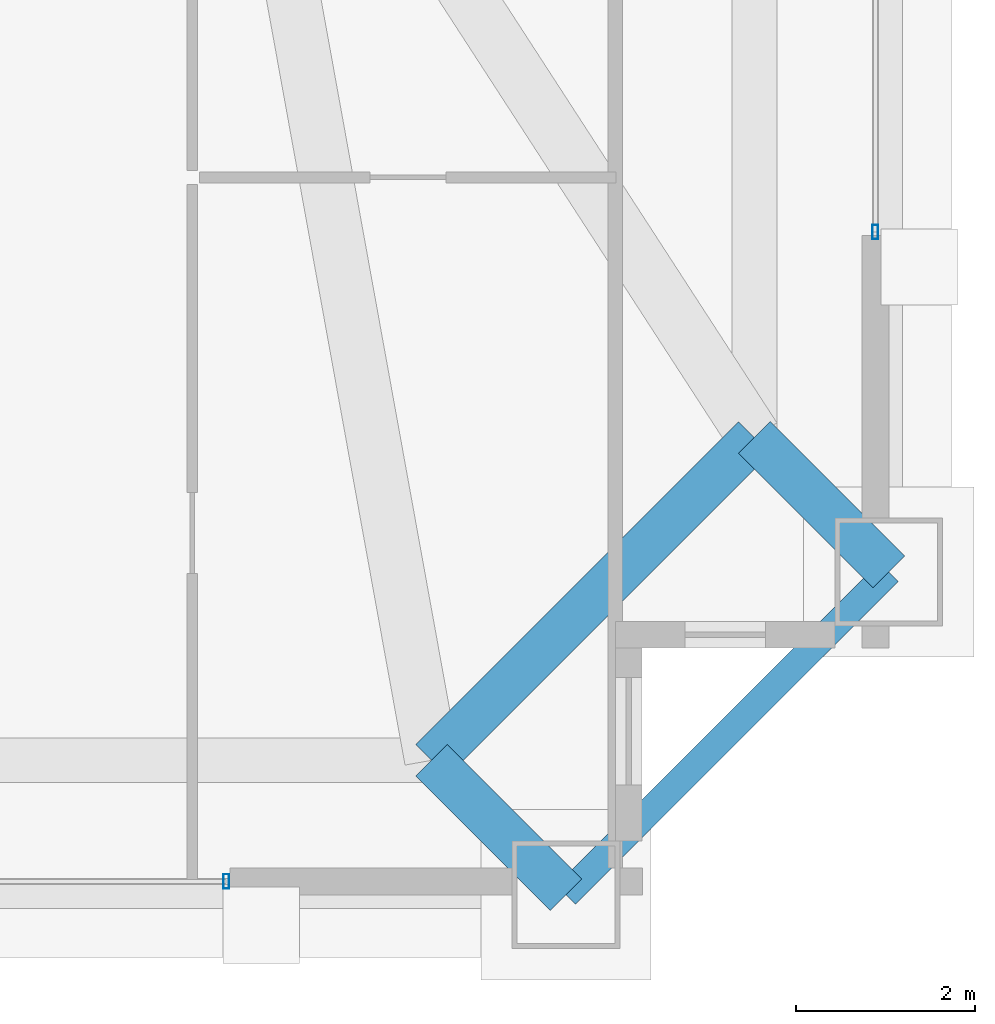
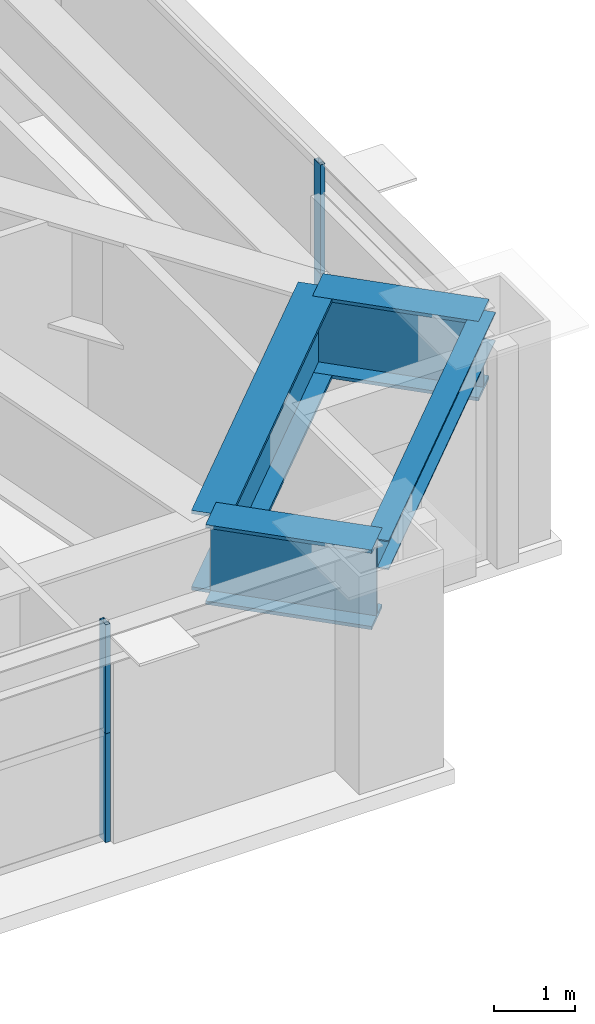
# One storey, part 14 of 33: 4 beams, 4 members, 2 elements without a shape of their own.
"""IFC4 building model written with IfcOpenShell, lengths in metres."""

from ifc_helpers import new_model, si_unit, direction, frame, origin, origin_2d, place, context, subcontext, project, spatial, hollow_rectangle, i_section, extrude, source, transform, mapped, material, layer, layer_set, material_profile, profile_set, type_object, element, aggregate, save


model = new_model("IFC4")

# Units and contexts
model_context = context("Model", 3, precision=1e-05, world=origin(), true_north=direction((0.0, 1.0)))
body_context = subcontext(model_context, "Body", "Model", "MODEL_VIEW")
ifc_project = project(units=[si_unit("LENGTHUNIT", "METRE"), si_unit("AREAUNIT", "SQUARE_METRE"), si_unit("VOLUMEUNIT", "CUBIC_METRE"), si_unit("PLANEANGLEUNIT", "RADIAN"), si_unit("MASSUNIT", "GRAM", prefix="KILO"), si_unit("THERMODYNAMICTEMPERATUREUNIT", "KELVIN"), si_unit("POWERUNIT", "WATT")], contexts=[model_context])

# Site, building, storey
site_placement = place(None, origin())
site = spatial("IfcSite", under=ifc_project, at=site_placement, CompositionType="ELEMENT")
building_placement = place(site_placement, origin())
building = spatial("IfcBuilding", under=site, at=building_placement, Name="Yuzanri Waterfront Tower", CompositionType="ELEMENT")
storey_placement = place(building_placement, frame((0.0, 0.0, 282.10009765625)))
storey = spatial("IfcBuildingStorey", under=building, at=storey_placement, Name="L75", CompositionType="ELEMENT", Elevation=282.10009765625)

# Beams
ifc_material_1 = material(Name="Steel Q420GJC", Category="steel")
ifc_material_profile_1 = material_profile(ifc_material_1, i_section(OverallWidth=0.5, OverallDepth=1.199951171875, WebThickness=0.028076171875, FlangeThickness=0.050048828125, at=origin_2d()), Name="PG 1200x500x28x50")
ifc_profile_set_1 = profile_set([ifc_material_profile_1], Name="Steel Q420GJC")
beam_type_1 = type_object("IfcBeamType", Name="Setback Transfer Girder Q420GJC PG 1200x500", PredefinedType="USERDEFINED", material=ifc_profile_set_1)
shared_shape_1 = source(origin(), body_context, "Body", "SweptSolid", [
    extrude(i_section(OverallWidth=0.5, OverallDepth=1.199951171875, WebThickness=0.028076171875, FlangeThickness=0.050048828125, at=origin_2d()), origin(), (0.0, 0.0, 1.0), 2.121337890625),
])
for number, where, z_axis, x_axis, name in (
    (1, (52.5, 6.699951171875, 2.679931640625), (0.707106781187, -0.707106781187, 0.0), (0.707106781187, 0.707106781187, 0.0), "L75 Setback Step Transfer S3"),
    (2, (56.10009765625, 10.300048828125, 2.679931640625), (0.707106781187, -0.707106781187, 0.0), (0.707106781187, 0.707106781187, 0.0), "L75 Setback Step Transfer E1"),
):
    element("IfcBeam", number, at=place(storey_placement, frame(where, z_axis=z_axis, x_axis=x_axis)), inside=storey, type_object=beam_type_1, Name=name, ObjectType="GIRDER", PredefinedType="USERDEFINED", context=body_context, shape_type="MappedRepresentation", body=[
        mapped(shared_shape_1, transform((0.0, 0.0, 0.0), scale=1.0)),
    ])
shared_shape_2 = source(origin(), body_context, "Body", "SweptSolid", [
    extrude(i_section(OverallWidth=0.5, OverallDepth=1.199951171875, WebThickness=0.028076171875, FlangeThickness=0.050048828125, at=origin_2d()), origin(), (0.0, 0.0, 1.0), 5.09130859375),
])
beam_1_placement = place(storey_placement, frame((52.5, 6.699951171875, 2.679931640625), z_axis=(0.707106781187, 0.707106781187, 0.0), x_axis=(-0.707106781187, 0.707106781187, 0.0)))
element("IfcBeam", 3, at=beam_1_placement, inside=storey, type_object=beam_type_1, Name="L75 Setback Upper Ring S3-E1", ObjectType="GIRDER", PredefinedType="USERDEFINED", context=body_context, shape_type="MappedRepresentation", body=[
    mapped(shared_shape_2, transform((0.0, 0.0, 0.0), scale=1.0)),
])
ifc_material_2 = material(Name="Steel Q355B", Category="steel")
ifc_material_profile_2 = material_profile(ifc_material_2, i_section(OverallWidth=0.300048828125, OverallDepth=0.43994140625, WebThickness=0.010986328125, FlangeThickness=0.01806640625, at=origin_2d()), Name="HM 440x300x11x18")
ifc_profile_set_2 = profile_set([ifc_material_profile_2], Name="Steel Q355B")
beam_type_2 = type_object("IfcBeamType", Name="Perimeter Spandrel Q355B HM 440x300", PredefinedType="SPANDREL", material=ifc_profile_set_2)
shared_shape_3 = source(origin(), body_context, "Body", "SweptSolid", [
    extrude(i_section(OverallWidth=0.300048828125, OverallDepth=0.43994140625, WebThickness=0.010986328125, FlangeThickness=0.01806640625, at=origin_2d()), origin(), (0.0, 0.0, 1.0), 5.09130859375),
])
beam_2_placement = place(storey_placement, frame((54.0, 5.199951171875, 3.059814453125), z_axis=(0.707106781187, 0.707106781187, 0.0), x_axis=(-0.707106781187, 0.707106781187, 0.0)))
element("IfcBeam", 4, at=beam_2_placement, inside=storey, type_object=beam_type_2, Name="L75 Perimeter Spandrel S3-E1", PredefinedType="SPANDREL", context=body_context, shape_type="MappedRepresentation", body=[
    mapped(shared_shape_3, transform((0.0, 0.0, 0.0), scale=1.0)),
])

# Curtain wall, members
ifc_material_3 = material(Name="Anodized Architectural Bronze", Category="metal")
ifc_layer = layer(ifc_material_3, 0.159912109375)
ifc_layer_set = layer_set([ifc_layer], Name="Anodized Architectural Bronze")
curtain_wall_type = type_object("IfcCurtainWallType", Name="Anodized Bronze Mid-Rise Residential Acoustic Unitized Curtain Wall 7200", PredefinedType="NOTDEFINED", material=ifc_layer_set)
curtain_wall_1_placement = place(storey_placement, origin())
curtain_wall_1 = element("IfcCurtainWall", 5, at=curtain_wall_1_placement, inside=storey, type_object=curtain_wall_type, Name="L75 Curtain Wall CW-L75-SR", PredefinedType="NOTDEFINED")
ifc_material_4 = material(Name="Anodized Architectural Bronze", Category="metal")
ifc_material_profile_3 = material_profile(ifc_material_4, hollow_rectangle(XDim=0.06494140625, YDim=0.159912109375, WallThickness=0.00341796875, at=origin_2d()), Name="CWM 65x160")
ifc_profile_set_3 = profile_set([ifc_material_profile_3], Name="Anodized Architectural Bronze")
member_type = type_object("IfcMemberType", Name="Anodized Bronze Upper-Zone Curtain-Wall Mullion 65x160", PredefinedType="MULLION", material=ifc_profile_set_3)
shared_shape_4 = source(origin(), body_context, "Body", "SweptSolid", [
    extrude(hollow_rectangle(XDim=0.06494140625, YDim=0.159912109375, WallThickness=0.00341796875, at=origin_2d()), origin(), (0.0, 0.0, 1.0), 1.637939453125),
])
member_1_placement = place(storey_placement, frame((50.2099609375, 5.35009765625, 0.0), z_axis=(0.0, 0.0, 1.0), x_axis=(1.0, 0.0, 0.0)))
member_1 = element("IfcMember", 6, at=member_1_placement, type_object=member_type, Name="CW-L75-SR Lower Mullion 02", PredefinedType="MULLION", context=body_context, shape_type="MappedRepresentation", body=[
    mapped(shared_shape_4, transform((0.0, 0.0, 0.0), scale=1.0)),
])
member_2_placement = place(storey_placement, frame((50.2099609375, 5.35009765625, 1.641845703125), z_axis=(0.0, 0.0, 1.0), x_axis=(1.0, 0.0, 0.0)))
member_2 = element("IfcMember", 7, at=member_2_placement, type_object=member_type, Name="CW-L75-SR Upper Mullion 02", PredefinedType="MULLION", context=body_context, shape_type="MappedRepresentation", body=[
    mapped(shared_shape_4, transform((0.0, 0.0, 0.0), scale=1.0)),
])
aggregate(curtain_wall_1, [member_1, member_2])

curtain_wall_2_placement = place(storey_placement, origin())
curtain_wall_2 = element("IfcCurtainWall", 8, at=curtain_wall_2_placement, inside=storey, type_object=curtain_wall_type, Name="L75 Curtain Wall CW-L75-EL", PredefinedType="NOTDEFINED")
member_3_placement = place(storey_placement, frame((57.449951171875, 12.590087890625, 0.0), z_axis=(0.0, 0.0, 1.0), x_axis=(1.0, 0.0, 0.0)))
member_3 = element("IfcMember", 9, at=member_3_placement, type_object=member_type, Name="CW-L75-EL Lower Mullion 00", PredefinedType="MULLION", context=body_context, shape_type="MappedRepresentation", body=[
    mapped(shared_shape_4, transform((0.0, 0.0, 0.0), scale=1.0)),
])
member_4_placement = place(storey_placement, frame((57.449951171875, 12.590087890625, 1.641845703125), z_axis=(0.0, 0.0, 1.0), x_axis=(1.0, 0.0, 0.0)))
member_4 = element("IfcMember", 10, at=member_4_placement, type_object=member_type, Name="CW-L75-EL Upper Mullion 00", PredefinedType="MULLION", context=body_context, shape_type="MappedRepresentation", body=[
    mapped(shared_shape_4, transform((0.0, 0.0, 0.0), scale=1.0)),
])
aggregate(curtain_wall_2, [member_3, member_4])

save(model, "model.ifc")
